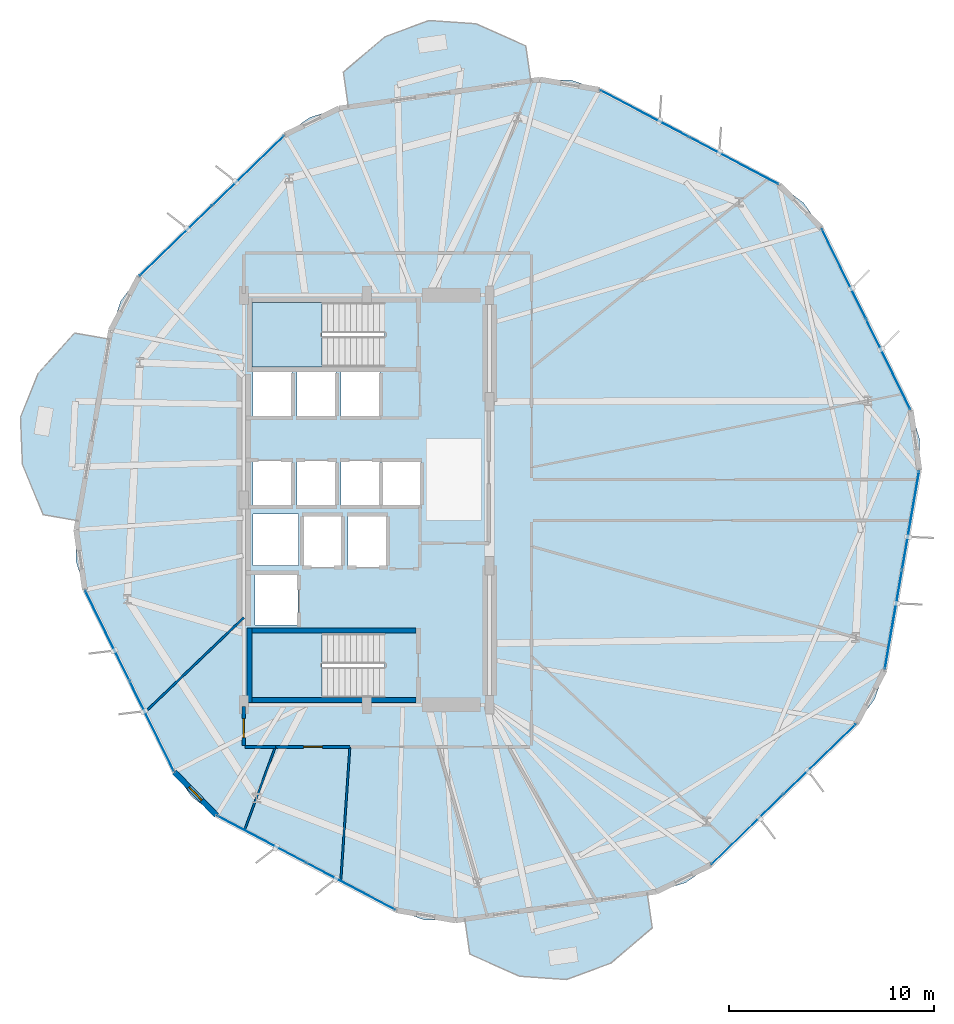
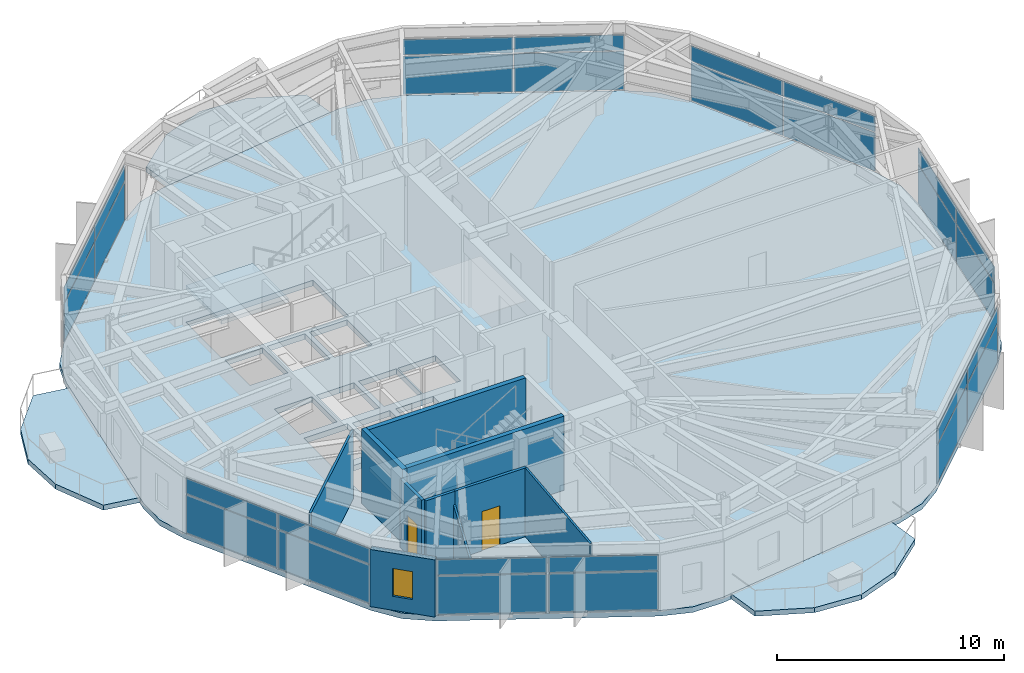
# One storey, part 15 of 22: 28 plates, 10 walls, 6 slabs, 2 doors, 1 window, 3 openings, 9 elements without a shape of their own.
"""IFC4 building model written with IfcOpenShell, lengths in metres."""

from ifc_helpers import new_model, si_unit, direction, frame, frame_2d, origin, origin_2d, place, context, subcontext, project, spatial, polyline, rectangle, outline, extrude, material, layer, layer_set, type_object, element, fill, aggregate, save


model = new_model("IFC4")

# Units and contexts
model_context = context("Model", 3, precision=1e-05, world=origin(), true_north=direction((0.0, 1.0)))
body_context = subcontext(model_context, "Body", "Model", "MODEL_VIEW")
ifc_project = project(units=[si_unit("LENGTHUNIT", "METRE"), si_unit("AREAUNIT", "SQUARE_METRE"), si_unit("VOLUMEUNIT", "CUBIC_METRE"), si_unit("PLANEANGLEUNIT", "RADIAN"), si_unit("MASSUNIT", "GRAM", prefix="KILO")], contexts=[model_context])

# Site, building, storey
site_placement = place(None, origin())
site = spatial("IfcSite", under=ifc_project, at=site_placement, CompositionType="ELEMENT")
building_placement = place(site_placement, origin())
building = spatial("IfcBuilding", under=site, at=building_placement, Name="Soratama Intermodal Tower", CompositionType="ELEMENT")
storey_placement = place(building_placement, frame((0.0, 0.0, 58.60009765625)))
storey = spatial("IfcBuildingStorey", under=building, at=storey_placement, Name="L13", CompositionType="ELEMENT", Elevation=58.60009765625)

# Curtain wall, plates
ifc_material_1 = material(Name="Double-glazed aluminium curtain wall", Category="aluminium")
ifc_layer_1 = layer(ifc_material_1, 0.159912109375)
ifc_layer_set_1 = layer_set([ifc_layer_1], Name="Double-glazed aluminium curtain wall")
curtain_wall_type = type_object("IfcCurtainWallType", Name="CW-SYS-2", PredefinedType="NOTDEFINED", material=ifc_layer_set_1)
curtain_wall_1_placement = place(storey_placement, origin())
curtain_wall_1 = element("IfcCurtainWall", 1, at=curtain_wall_1_placement, inside=storey, type_object=curtain_wall_type, Name="L13 Faceted Curtain Wall F01", PredefinedType="NOTDEFINED")
ifc_material_2 = material(Name="Low-E laminated double glazing", Category="glass")
ifc_layer_2 = layer(ifc_material_2, 0.031982421875)
ifc_layer_set_2 = layer_set([ifc_layer_2], Name="Low-E laminated double glazing")
plate_type = type_object("IfcPlateType", Name="PT-CWP-2", PredefinedType="CURTAIN_PANEL", material=ifc_layer_set_2)
plate_1_placement = place(storey_placement, frame((64.05810546875, 31.6220703125, 0.059814453125), z_axis=(0.0, 0.0, 1.0), x_axis=(-0.440875453156, 0.897568289772, 0.0)))
plate_1 = element("IfcPlate", 2, at=plate_1_placement, type_object=plate_type, Name="CW-2 panel 1.1", PredefinedType="CURTAIN_PANEL", context=body_context, shape_type="SweptSolid", body=[
    extrude(rectangle(XDim=4.857177734375, YDim=0.028076171875, at=origin_2d()), origin(), (0.0, 0.0, 1.0), 2.06005859375),
])
plate_2_placement = place(storey_placement, frame((64.05810546875, 31.6220703125, 2.1796875), z_axis=(0.0, 0.0, 1.0), x_axis=(-0.440875453156, 0.897568289772, 0.0)))
plate_2 = element("IfcPlate", 3, at=plate_2_placement, type_object=plate_type, Name="CW-2 panel 1.2", PredefinedType="CURTAIN_PANEL", context=body_context, shape_type="SweptSolid", body=[
    extrude(rectangle(XDim=4.857177734375, YDim=0.028076171875, at=origin_2d()), origin(), (0.0, 0.0, 1.0), 0.839111328125),
])
plate_3_placement = place(storey_placement, frame((61.890380859375, 36.03564453125, 0.059814453125), z_axis=(0.0, 0.0, 1.0), x_axis=(-0.440875453156, 0.897568289772, 0.0)))
plate_3 = element("IfcPlate", 4, at=plate_3_placement, type_object=plate_type, Name="CW-2 panel 2.1", PredefinedType="CURTAIN_PANEL", context=body_context, shape_type="SweptSolid", body=[
    extrude(rectangle(XDim=4.857177734375, YDim=0.028076171875, at=origin_2d()), origin(), (0.0, 0.0, 1.0), 2.06005859375),
])
plate_4_placement = place(storey_placement, frame((61.890380859375, 36.03564453125, 2.1796875), z_axis=(0.0, 0.0, 1.0), x_axis=(-0.440875453156, 0.897568289772, 0.0)))
plate_4 = element("IfcPlate", 5, at=plate_4_placement, type_object=plate_type, Name="CW-2 panel 2.2", PredefinedType="CURTAIN_PANEL", context=body_context, shape_type="SweptSolid", body=[
    extrude(rectangle(XDim=4.857177734375, YDim=0.028076171875, at=origin_2d()), origin(), (0.0, 0.0, 1.0), 0.839111328125),
])
aggregate(curtain_wall_1, [plate_1, plate_2, plate_3, plate_4])

curtain_wall_2_placement = place(storey_placement, origin())
curtain_wall_2 = element("IfcCurtainWall", 6, at=curtain_wall_2_placement, inside=storey, type_object=curtain_wall_type, Name="L13 Faceted Curtain Wall F02", PredefinedType="NOTDEFINED")
plate_5_placement = place(storey_placement, frame((56.52587890625, 41.5595703125, 0.059814453125), z_axis=(0.0, 0.0, 1.0), x_axis=(-0.884256543686, 0.467001461398, 0.0)))
plate_5 = element("IfcPlate", 7, at=plate_5_placement, type_object=plate_type, Name="CW-2 panel 1.1", PredefinedType="CURTAIN_PANEL", context=body_context, shape_type="SweptSolid", body=[
    extrude(rectangle(XDim=4.857177734375, YDim=0.028076171875, at=origin_2d()), origin(), (0.0, 0.0, 1.0), 2.06005859375),
])
plate_6_placement = place(storey_placement, frame((56.52587890625, 41.5595703125, 2.1796875), z_axis=(0.0, 0.0, 1.0), x_axis=(-0.884256543686, 0.467001461398, 0.0)))
plate_6 = element("IfcPlate", 8, at=plate_6_placement, type_object=plate_type, Name="CW-2 panel 1.2", PredefinedType="CURTAIN_PANEL", context=body_context, shape_type="SweptSolid", body=[
    extrude(rectangle(XDim=4.857177734375, YDim=0.028076171875, at=origin_2d()), origin(), (0.0, 0.0, 1.0), 0.839111328125),
])
plate_7_placement = place(storey_placement, frame((52.177978515625, 43.85595703125, 0.059814453125), z_axis=(0.0, 0.0, 1.0), x_axis=(-0.884256543686, 0.467001461398, 0.0)))
plate_7 = element("IfcPlate", 9, at=plate_7_placement, type_object=plate_type, Name="CW-2 panel 2.1", PredefinedType="CURTAIN_PANEL", context=body_context, shape_type="SweptSolid", body=[
    extrude(rectangle(XDim=4.857177734375, YDim=0.028076171875, at=origin_2d()), origin(), (0.0, 0.0, 1.0), 2.06005859375),
])
plate_8_placement = place(storey_placement, frame((52.177978515625, 43.85595703125, 2.1796875), z_axis=(0.0, 0.0, 1.0), x_axis=(-0.884256543686, 0.467001461398, 0.0)))
plate_8 = element("IfcPlate", 10, at=plate_8_placement, type_object=plate_type, Name="CW-2 panel 2.2", PredefinedType="CURTAIN_PANEL", context=body_context, shape_type="SweptSolid", body=[
    extrude(rectangle(XDim=4.857177734375, YDim=0.028076171875, at=origin_2d()), origin(), (0.0, 0.0, 1.0), 0.839111328125),
])
aggregate(curtain_wall_2, [plate_5, plate_6, plate_7, plate_8])

curtain_wall_3_placement = place(storey_placement, origin())
curtain_wall_3 = element("IfcCurtainWall", 11, at=curtain_wall_3_placement, inside=storey, type_object=curtain_wall_type, Name="L13 Faceted Curtain Wall F04", PredefinedType="NOTDEFINED")
plate_9_placement = place(storey_placement, frame((32.812744140625, 41.0791015625, 0.059814453125), z_axis=(0.0, 0.0, 1.0), x_axis=(-0.717395552683, -0.696666075671, 0.0)))
plate_9 = element("IfcPlate", 12, at=plate_9_placement, type_object=plate_type, Name="CW-2 panel 1.1", PredefinedType="CURTAIN_PANEL", context=body_context, shape_type="SweptSolid", body=[
    extrude(rectangle(XDim=4.857177734375, YDim=0.028076171875, at=origin_2d()), origin(), (0.0, 0.0, 1.0), 2.06005859375),
])
plate_10_placement = place(storey_placement, frame((32.812744140625, 41.0791015625, 2.1796875), z_axis=(0.0, 0.0, 1.0), x_axis=(-0.717395552683, -0.696666075671, 0.0)))
plate_10 = element("IfcPlate", 13, at=plate_10_placement, type_object=plate_type, Name="CW-2 panel 1.2", PredefinedType="CURTAIN_PANEL", context=body_context, shape_type="SweptSolid", body=[
    extrude(rectangle(XDim=4.857177734375, YDim=0.028076171875, at=origin_2d()), origin(), (0.0, 0.0, 1.0), 0.839111328125),
])
plate_11_placement = place(storey_placement, frame((29.28515625, 37.653564453125, 0.059814453125), z_axis=(0.0, 0.0, 1.0), x_axis=(-0.717395552683, -0.696666075671, 0.0)))
plate_11 = element("IfcPlate", 14, at=plate_11_placement, type_object=plate_type, Name="CW-2 panel 2.1", PredefinedType="CURTAIN_PANEL", context=body_context, shape_type="SweptSolid", body=[
    extrude(rectangle(XDim=4.857177734375, YDim=0.028076171875, at=origin_2d()), origin(), (0.0, 0.0, 1.0), 2.06005859375),
])
plate_12_placement = place(storey_placement, frame((29.28515625, 37.653564453125, 2.1796875), z_axis=(0.0, 0.0, 1.0), x_axis=(-0.717395552683, -0.696666075671, 0.0)))
plate_12 = element("IfcPlate", 15, at=plate_12_placement, type_object=plate_type, Name="CW-2 panel 2.2", PredefinedType="CURTAIN_PANEL", context=body_context, shape_type="SweptSolid", body=[
    extrude(rectangle(XDim=4.857177734375, YDim=0.028076171875, at=origin_2d()), origin(), (0.0, 0.0, 1.0), 0.839111328125),
])
aggregate(curtain_wall_3, [plate_9, plate_10, plate_11, plate_12])

curtain_wall_4_placement = place(storey_placement, origin())
curtain_wall_4 = element("IfcCurtainWall", 16, at=curtain_wall_4_placement, inside=storey, type_object=curtain_wall_type, Name="L13 Faceted Curtain Wall F06", PredefinedType="NOTDEFINED")
plate_13_placement = place(storey_placement, frame((25.94189453125, 18.3779296875, 0.059814453125), z_axis=(0.0, 0.0, 1.0), x_axis=(0.440875453156, -0.897568289772, 0.0)))
plate_13 = element("IfcPlate", 17, at=plate_13_placement, type_object=plate_type, Name="CW-2 panel 1.1", PredefinedType="CURTAIN_PANEL", context=body_context, shape_type="SweptSolid", body=[
    extrude(rectangle(XDim=4.857177734375, YDim=0.028076171875, at=origin_2d()), origin(), (0.0, 0.0, 1.0), 2.06005859375),
])
plate_14_placement = place(storey_placement, frame((25.94189453125, 18.3779296875, 2.1796875), z_axis=(0.0, 0.0, 1.0), x_axis=(0.440875453156, -0.897568289772, 0.0)))
plate_14 = element("IfcPlate", 18, at=plate_14_placement, type_object=plate_type, Name="CW-2 panel 1.2", PredefinedType="CURTAIN_PANEL", context=body_context, shape_type="SweptSolid", body=[
    extrude(rectangle(XDim=4.857177734375, YDim=0.028076171875, at=origin_2d()), origin(), (0.0, 0.0, 1.0), 0.839111328125),
])
plate_15_placement = place(storey_placement, frame((28.109619140625, 13.96435546875, 0.059814453125), z_axis=(0.0, 0.0, 1.0), x_axis=(0.440875453156, -0.897568289772, 0.0)))
plate_15 = element("IfcPlate", 19, at=plate_15_placement, type_object=plate_type, Name="CW-2 panel 2.1", PredefinedType="CURTAIN_PANEL", context=body_context, shape_type="SweptSolid", body=[
    extrude(rectangle(XDim=4.857177734375, YDim=0.028076171875, at=origin_2d()), origin(), (0.0, 0.0, 1.0), 2.06005859375),
])
plate_16_placement = place(storey_placement, frame((28.109619140625, 13.96435546875, 2.1796875), z_axis=(0.0, 0.0, 1.0), x_axis=(0.440875453156, -0.897568289772, 0.0)))
plate_16 = element("IfcPlate", 20, at=plate_16_placement, type_object=plate_type, Name="CW-2 panel 2.2", PredefinedType="CURTAIN_PANEL", context=body_context, shape_type="SweptSolid", body=[
    extrude(rectangle(XDim=4.857177734375, YDim=0.028076171875, at=origin_2d()), origin(), (0.0, 0.0, 1.0), 0.839111328125),
])
aggregate(curtain_wall_4, [plate_13, plate_14, plate_15, plate_16])

curtain_wall_5_placement = place(storey_placement, origin())
curtain_wall_5 = element("IfcCurtainWall", 21, at=curtain_wall_5_placement, inside=storey, type_object=curtain_wall_type, Name="L13 Faceted Curtain Wall F07", PredefinedType="NOTDEFINED")
plate_17_placement = place(storey_placement, frame((33.47412109375, 8.4404296875, 0.059814453125), z_axis=(0.0, 0.0, 1.0), x_axis=(0.884256543686, -0.467001461398, 0.0)))
plate_17 = element("IfcPlate", 22, at=plate_17_placement, type_object=plate_type, Name="CW-2 panel 1.1", PredefinedType="CURTAIN_PANEL", context=body_context, shape_type="SweptSolid", body=[
    extrude(rectangle(XDim=4.857177734375, YDim=0.028076171875, at=origin_2d()), origin(), (0.0, 0.0, 1.0), 2.06005859375),
])
plate_18_placement = place(storey_placement, frame((33.47412109375, 8.4404296875, 2.1796875), z_axis=(0.0, 0.0, 1.0), x_axis=(0.884256543686, -0.467001461398, 0.0)))
plate_18 = element("IfcPlate", 23, at=plate_18_placement, type_object=plate_type, Name="CW-2 panel 1.2", PredefinedType="CURTAIN_PANEL", context=body_context, shape_type="SweptSolid", body=[
    extrude(rectangle(XDim=4.857177734375, YDim=0.028076171875, at=origin_2d()), origin(), (0.0, 0.0, 1.0), 0.839111328125),
])
plate_19_placement = place(storey_placement, frame((37.822021484375, 6.14404296875, 0.059814453125), z_axis=(0.0, 0.0, 1.0), x_axis=(0.884256543686, -0.467001461398, 0.0)))
plate_19 = element("IfcPlate", 24, at=plate_19_placement, type_object=plate_type, Name="CW-2 panel 2.1", PredefinedType="CURTAIN_PANEL", context=body_context, shape_type="SweptSolid", body=[
    extrude(rectangle(XDim=4.857177734375, YDim=0.028076171875, at=origin_2d()), origin(), (0.0, 0.0, 1.0), 2.06005859375),
])
plate_20_placement = place(storey_placement, frame((37.822021484375, 6.14404296875, 2.1796875), z_axis=(0.0, 0.0, 1.0), x_axis=(0.884256543686, -0.467001461398, 0.0)))
plate_20 = element("IfcPlate", 25, at=plate_20_placement, type_object=plate_type, Name="CW-2 panel 2.2", PredefinedType="CURTAIN_PANEL", context=body_context, shape_type="SweptSolid", body=[
    extrude(rectangle(XDim=4.857177734375, YDim=0.028076171875, at=origin_2d()), origin(), (0.0, 0.0, 1.0), 0.839111328125),
])
aggregate(curtain_wall_5, [plate_17, plate_18, plate_19, plate_20])

curtain_wall_6_placement = place(storey_placement, origin())
curtain_wall_6 = element("IfcCurtainWall", 26, at=curtain_wall_6_placement, inside=storey, type_object=curtain_wall_type, Name="L13 Faceted Curtain Wall F09", PredefinedType="NOTDEFINED")
plate_21_placement = place(storey_placement, frame((57.187255859375, 8.9208984375, 0.059814453125), z_axis=(0.0, 0.0, 1.0), x_axis=(0.717395552683, 0.696666075671, 0.0)))
plate_21 = element("IfcPlate", 27, at=plate_21_placement, type_object=plate_type, Name="CW-2 panel 1.1", PredefinedType="CURTAIN_PANEL", context=body_context, shape_type="SweptSolid", body=[
    extrude(rectangle(XDim=4.857177734375, YDim=0.028076171875, at=origin_2d()), origin(), (0.0, 0.0, 1.0), 2.06005859375),
])
plate_22_placement = place(storey_placement, frame((57.187255859375, 8.9208984375, 2.1796875), z_axis=(0.0, 0.0, 1.0), x_axis=(0.717395552683, 0.696666075671, 0.0)))
plate_22 = element("IfcPlate", 28, at=plate_22_placement, type_object=plate_type, Name="CW-2 panel 1.2", PredefinedType="CURTAIN_PANEL", context=body_context, shape_type="SweptSolid", body=[
    extrude(rectangle(XDim=4.857177734375, YDim=0.028076171875, at=origin_2d()), origin(), (0.0, 0.0, 1.0), 0.839111328125),
])
plate_23_placement = place(storey_placement, frame((60.71484375, 12.346435546875, 0.059814453125), z_axis=(0.0, 0.0, 1.0), x_axis=(0.717395552683, 0.696666075671, 0.0)))
plate_23 = element("IfcPlate", 29, at=plate_23_placement, type_object=plate_type, Name="CW-2 panel 2.1", PredefinedType="CURTAIN_PANEL", context=body_context, shape_type="SweptSolid", body=[
    extrude(rectangle(XDim=4.857177734375, YDim=0.028076171875, at=origin_2d()), origin(), (0.0, 0.0, 1.0), 2.06005859375),
])
plate_24_placement = place(storey_placement, frame((60.71484375, 12.346435546875, 2.1796875), z_axis=(0.0, 0.0, 1.0), x_axis=(0.717395552683, 0.696666075671, 0.0)))
plate_24 = element("IfcPlate", 30, at=plate_24_placement, type_object=plate_type, Name="CW-2 panel 2.2", PredefinedType="CURTAIN_PANEL", context=body_context, shape_type="SweptSolid", body=[
    extrude(rectangle(XDim=4.857177734375, YDim=0.028076171875, at=origin_2d()), origin(), (0.0, 0.0, 1.0), 0.839111328125),
])
aggregate(curtain_wall_6, [plate_21, plate_22, plate_23, plate_24])

curtain_wall_7_placement = place(storey_placement, origin())
curtain_wall_7 = element("IfcCurtainWall", 31, at=curtain_wall_7_placement, inside=storey, type_object=curtain_wall_type, Name="L13 Faceted Curtain Wall F10", PredefinedType="NOTDEFINED")
plate_25_placement = place(storey_placement, frame((64.310791015625, 19.1552734375, 0.059814453125), z_axis=(0.0, 0.0, 1.0), x_axis=(0.170898842866, 0.985288579812, 0.0)))
plate_25 = element("IfcPlate", 32, at=plate_25_placement, type_object=plate_type, Name="CW-2 panel 1.1", PredefinedType="CURTAIN_PANEL", context=body_context, shape_type="SweptSolid", body=[
    extrude(rectangle(XDim=4.857177734375, YDim=0.028076171875, at=origin_2d()), origin(), (0.0, 0.0, 1.0), 2.06005859375),
])
plate_26_placement = place(storey_placement, frame((64.310791015625, 19.1552734375, 2.1796875), z_axis=(0.0, 0.0, 1.0), x_axis=(0.170898842866, 0.985288579812, 0.0)))
plate_26 = element("IfcPlate", 33, at=plate_26_placement, type_object=plate_type, Name="CW-2 panel 1.2", PredefinedType="CURTAIN_PANEL", context=body_context, shape_type="SweptSolid", body=[
    extrude(rectangle(XDim=4.857177734375, YDim=0.028076171875, at=origin_2d()), origin(), (0.0, 0.0, 1.0), 0.839111328125),
])
plate_27_placement = place(storey_placement, frame((65.151123046875, 24.0, 0.059814453125), z_axis=(0.0, 0.0, 1.0), x_axis=(0.170898842866, 0.985288579812, 0.0)))
plate_27 = element("IfcPlate", 34, at=plate_27_placement, type_object=plate_type, Name="CW-2 panel 2.1", PredefinedType="CURTAIN_PANEL", context=body_context, shape_type="SweptSolid", body=[
    extrude(rectangle(XDim=4.857177734375, YDim=0.028076171875, at=origin_2d()), origin(), (0.0, 0.0, 1.0), 2.06005859375),
])
plate_28_placement = place(storey_placement, frame((65.151123046875, 24.0, 2.1796875), z_axis=(0.0, 0.0, 1.0), x_axis=(0.170898842866, 0.985288579812, 0.0)))
plate_28 = element("IfcPlate", 35, at=plate_28_placement, type_object=plate_type, Name="CW-2 panel 2.2", PredefinedType="CURTAIN_PANEL", context=body_context, shape_type="SweptSolid", body=[
    extrude(rectangle(XDim=4.857177734375, YDim=0.028076171875, at=origin_2d()), origin(), (0.0, 0.0, 1.0), 0.839111328125),
])
aggregate(curtain_wall_7, [plate_25, plate_26, plate_27, plate_28])

# Slabs
ifc_material_3 = material(Name="Concrete f'c 42 MPa", Category="concrete")
ifc_layer_3 = layer(ifc_material_3, 0.27001953125)
ifc_layer_set_3 = layer_set([ifc_layer_3], Name="Concrete f'c 42 MPa")
slab_type_1 = type_object("IfcSlabType", Name="SL-EXT-BAL1", PredefinedType="FLOOR", material=ifc_layer_set_3)
slab_1_placement = place(storey_placement, frame((0.0, 0.0, -0.27001953125)))
element("IfcSlab", 36, at=slab_1_placement, inside=storey, type_object=slab_type_1, Name="L13 Planted Balcony North 1", PredefinedType="FLOOR", context=body_context, shape_type="SweptSolid", body=[
    extrude(outline(polyline([(46.609130859375, 45.461181640625), (37.7060546875, 44.1845703125), (37.4619140625, 45.88720703125), (39.48681640625, 47.607177734375), (41.643798828125, 48.406005859375), (43.9384765625, 48.245361328125), (46.364990234375, 47.163818359375), (46.609130859375, 45.461181640625)])), origin(), (0.0, 0.0, 1.0), 0.27001953125),
])
slab_2_placement = place(storey_placement, frame((0.0, 0.0, -0.27001953125)))
element("IfcSlab", 37, at=slab_2_placement, inside=storey, type_object=slab_type_1, Name="L13 Planted Balcony West 2", PredefinedType="FLOOR", context=body_context, shape_type="SweptSolid", body=[
    extrude(outline(polyline([(26.03759765625, 32.853271484375), (24.50048828125, 23.991455078125), (22.805908203125, 24.285400390625), (21.795654296875, 26.74267578125), (21.702392578125, 29.041015625), (22.564208984375, 31.173583984375), (24.343017578125, 33.147216796875), (26.03759765625, 32.853271484375)])), origin(), (0.0, 0.0, 1.0), 0.27001953125),
])
slab_3_placement = place(storey_placement, frame((0.0, 0.0, -0.27001953125)))
element("IfcSlab", 38, at=slab_3_placement, inside=storey, type_object=slab_type_1, Name="L13 Planted Balcony South 3", PredefinedType="FLOOR", context=body_context, shape_type="SweptSolid", body=[
    extrude(outline(polyline([(43.390869140625, 4.538818359375), (52.2939453125, 5.8154296875), (52.5380859375, 4.11279296875), (50.51318359375, 2.392822265625), (48.356201171875, 1.593994140625), (46.0615234375, 1.754638671875), (43.635009765625, 2.836181640625), (43.390869140625, 4.538818359375)])), origin(), (0.0, 0.0, 1.0), 0.27001953125),
])

# Stair, slab
ifc_material_4 = material(Name="Concrete f'c 42 MPa", Category="concrete")
stair_type = type_object("IfcStairType", Name="ST-CORE-DOGLEG", PredefinedType="HALF_TURN_STAIR", material=ifc_material_4)
stair_1_placement = place(storey_placement, origin())
stair_1 = element("IfcStair", 39, at=stair_1_placement, inside=storey, type_object=stair_type, Name="L13 ST-1", PredefinedType="HALF_TURN_STAIR")
ifc_material_5 = material(Name="Concrete f'c 42 MPa", Category="concrete")
ifc_layer_4 = layer(ifc_material_5, 0.219970703125)
ifc_layer_set_4 = layer_set([ifc_layer_4], Name="Concrete f'c 42 MPa")
slab_type_2 = type_object("IfcSlabType", Name="SL-STAIR-LAND", PredefinedType="LANDING", material=ifc_layer_set_4)
slab_4_placement = place(storey_placement, frame((0.0, 0.0, 1.7998046875)))
slab_4 = element("IfcSlab", 40, at=slab_4_placement, type_object=slab_type_2, Name="ST-1 landing 1", PredefinedType="LANDING", context=body_context, shape_type="SweptSolid", body=[
    extrude(outline(polyline([(36.419921875, 18.5), (33.0, 18.5), (33.0, 15.35009765625), (36.419921875, 15.35009765625), (36.419921875, 18.5)])), origin(), (0.0, 0.0, 1.0), 0.2001953125),
])
aggregate(stair_1, [slab_4])

stair_2_placement = place(storey_placement, origin())
stair_2 = element("IfcStair", 41, at=stair_2_placement, inside=storey, type_object=stair_type, Name="L13 ST-2", PredefinedType="HALF_TURN_STAIR")
slab_5_placement = place(storey_placement, frame((0.0, 0.0, 1.7998046875)))
slab_5 = element("IfcSlab", 42, at=slab_5_placement, type_object=slab_type_2, Name="ST-2 landing 1", PredefinedType="LANDING", context=body_context, shape_type="SweptSolid", body=[
    extrude(outline(polyline([(36.419921875, 34.64990234375), (33.0, 34.64990234375), (33.0, 31.5), (36.419921875, 31.5), (36.419921875, 34.64990234375)])), origin(), (0.0, 0.0, 1.0), 0.2001953125),
])
aggregate(stair_2, [slab_5])

# Slab
ifc_material_6 = material(Name="Concrete f'c 42 MPa", Category="concrete")
ifc_layer_5 = layer(ifc_material_6, 0.280029296875)
ifc_layer_set_5 = layer_set([ifc_layer_5], Name="Concrete f'c 42 MPa")
slab_type_3 = type_object("IfcSlabType", Name="SL-TWR-280", PredefinedType="FLOOR", material=ifc_layer_set_5)
slab_6_placement = place(storey_placement, frame((0.0, 0.0, -0.300048828125)))
element("IfcSlab", 43, at=slab_6_placement, inside=storey, type_object=slab_type_3, Name="L13 Structural Floor Slab", PredefinedType="FLOOR", context=body_context, shape_type="SweptSolid", body=[
    extrude(outline(polyline([(65.576416015625, 26.451904296875), (65.598388671875, 27.95361328125), (65.1552734375, 29.388427734375), (60.793212890625, 38.269287109375), (59.928466796875, 39.496826171875), (58.7265625, 40.3974609375), (49.9775390625, 45.01806640625), (48.55615234375, 45.5029296875), (47.0546875, 45.52490234375), (37.260498046875, 44.12060546875), (35.82568359375, 43.677490234375), (34.597900390625, 42.812744140625), (27.5, 35.919921875), (26.599609375, 34.718017578125), (26.114501953125, 33.296630859375), (24.423583984375, 23.548095703125), (24.401611328125, 22.04638671875), (24.8447265625, 20.611572265625), (29.206787109375, 11.730712890625), (30.071533203125, 10.503173828125), (31.2734375, 9.6025390625), (40.0224609375, 4.98193359375), (41.44384765625, 4.4970703125), (42.9453125, 4.47509765625), (52.739501953125, 5.87939453125), (54.17431640625, 6.322509765625), (55.402099609375, 7.187255859375), (62.5, 14.080078125), (63.400390625, 15.281982421875), (63.885498046875, 16.703369140625), (65.576416015625, 26.451904296875)]), holes=[polyline([(33.0, 18.5), (33.0, 15.35009765625), (39.47509765625, 15.35009765625), (39.47509765625, 18.5), (33.0, 18.5)]), polyline([(35.260009765625, 18.889892578125), (35.260009765625, 21.409912109375), (33.139892578125, 21.409912109375), (33.139892578125, 18.889892578125), (35.260009765625, 18.889892578125)]), polyline([(33.050048828125, 21.800048828125), (35.280029296875, 21.800048828125), (35.280029296875, 24.320068359375), (33.050048828125, 24.320068359375), (33.050048828125, 21.800048828125)]), polyline([(34.9599609375, 26.909912109375), (33.0400390625, 26.909912109375), (33.0400390625, 24.68994140625), (34.9599609375, 24.68994140625), (34.9599609375, 26.909912109375)]), polyline([(37.110107421875, 24.68994140625), (37.110107421875, 26.909912109375), (35.18994140625, 26.909912109375), (35.18994140625, 24.68994140625), (37.110107421875, 24.68994140625)]), polyline([(34.9599609375, 29.0400390625), (34.9599609375, 31.260009765625), (33.0400390625, 31.260009765625), (33.0400390625, 29.0400390625), (34.9599609375, 29.0400390625)]), polyline([(37.110107421875, 31.260009765625), (35.18994140625, 31.260009765625), (35.18994140625, 29.0400390625), (37.110107421875, 29.0400390625), (37.110107421875, 31.260009765625)]), polyline([(37.409912109375, 21.739990234375), (37.409912109375, 24.260009765625), (35.489990234375, 24.260009765625), (35.489990234375, 21.739990234375), (37.409912109375, 21.739990234375)]), polyline([(39.610107421875, 21.739990234375), (39.610107421875, 24.260009765625), (37.68994140625, 24.260009765625), (37.68994140625, 21.739990234375), (39.610107421875, 21.739990234375)]), polyline([(39.260009765625, 24.68994140625), (39.260009765625, 26.909912109375), (37.340087890625, 26.909912109375), (37.340087890625, 24.68994140625), (39.260009765625, 24.68994140625)]), polyline([(41.260009765625, 24.68994140625), (41.260009765625, 26.909912109375), (39.340087890625, 26.909912109375), (39.340087890625, 24.68994140625), (41.260009765625, 24.68994140625)]), polyline([(39.260009765625, 29.0400390625), (39.260009765625, 31.260009765625), (37.340087890625, 31.260009765625), (37.340087890625, 29.0400390625), (39.260009765625, 29.0400390625)]), polyline([(39.47509765625, 34.64990234375), (33.0, 34.64990234375), (33.0, 31.5), (39.47509765625, 31.5), (39.47509765625, 34.64990234375)])]), origin(), (0.0, 0.0, 1.0), 0.300048828125),
])

# Wall, opening, window
ifc_material_7 = material(Name="Concrete f'c 42 MPa", Category="concrete")
ifc_layer_6 = layer(ifc_material_7, 0.27001953125)
ifc_layer_set_6 = layer_set([ifc_layer_6], Name="Concrete f'c 42 MPa")
wall_type_1 = type_object("IfcWallType", Name="EW-CRN-270", PredefinedType="SOLIDWALL", material=ifc_layer_set_6)
wall_1_placement = place(storey_placement, frame((29.206787109375, 11.730712890625, 0.0), z_axis=(0.0, 0.0, 1.0), x_axis=(0.69666106732, -0.717400416282, 0.0)))
wall_1 = element("IfcWall", 44, at=wall_1_placement, inside=storey, type_object=wall_type_1, Name="L13 Corner Closure Wall 06", PredefinedType="SOLIDWALL", context=body_context, shape_type="SweptSolid", body=[
    extrude(rectangle(XDim=2.966552734375, YDim=0.27001953125, at=frame_2d((1.4833984375, 0.0))), origin(), (0.0, 0.0, 1.0), 3.078857421875),
])
opening_1_placement = place(wall_1_placement, frame((1.033203125, 0.0, 0.75)))
opening_1 = element("IfcOpeningElement", 45, at=opening_1_placement, cuts=wall_1, Name="Opening WN-6", PredefinedType="OPENING", context=body_context, shape_type="SweptSolid", body=[
    extrude(rectangle(XDim=0.89990234375, YDim=1.5, at=frame_2d((0.449951171875, 0.75))), frame((0.0, 0.14501953125, 0.0), z_axis=(0.0, -1.0, 0.0), x_axis=(1.0, 0.0, 0.0)), (0.0, 0.0, 1.0), 0.2900390625),
])
ifc_material_8 = material(Name="Double-glazed aluminium window", Category="aluminium")
window_type = type_object("IfcWindowType", Name="WN-FAC-900", PartitioningType="SINGLE_PANEL", PredefinedType="WINDOW", material=ifc_material_8)
window_placement = place(opening_1_placement, origin())
window = element("IfcWindow", 46, at=window_placement, inside=storey, type_object=window_type, Name="L13 Corner Window 06", OverallHeight=1.5, OverallWidth=0.89990234375, PartitioningType="SINGLE_PANEL", PredefinedType="WINDOW", context=body_context, shape_type="SweptSolid", body=[
    extrude(rectangle(XDim=0.89990234375, YDim=1.5, at=frame_2d((0.449951171875, 0.75))), frame((0.0, 0.030029296875, 0.0), z_axis=(0.0, -1.0, 0.0), x_axis=(1.0, 0.0, 0.0)), (0.0, 0.0, 1.0), 0.06005859375),
])
fill(opening_1, window)

# Wall, opening, door
ifc_material_9 = material(Name="Fire-rated gypsum stud partition", Category="concrete")
ifc_layer_7 = layer(ifc_material_9, 0.14990234375)
ifc_layer_set_7 = layer_set([ifc_layer_7], Name="Fire-rated gypsum stud partition")
wall_type_2 = type_object("IfcWallType", Name="IW-PART-R150", PredefinedType="PARTITIONING", material=ifc_layer_set_7)
wall_2_placement = place(storey_placement, frame((37.781005859375, 12.949951171875, 0.0), z_axis=(0.0, 0.0, 1.0), x_axis=(-1.0, 0.0, 0.0)))
wall_2 = element("IfcWall", 47, at=wall_2_placement, inside=storey, type_object=wall_type_2, Name="L13 Partition W-L13-TP020", PredefinedType="PARTITIONING", context=body_context, shape_type="SweptSolid", body=[
    extrude(rectangle(XDim=3.637939453125, YDim=0.14990234375, at=frame_2d((1.81884765625, 0.0))), origin(), (0.0, 0.0, 1.0), 3.699951171875),
])
opening_2_placement = place(wall_2_placement, frame((1.343994140625, 0.0, 0.0)))
opening_2 = element("IfcOpeningElement", 48, at=opening_2_placement, cuts=wall_2, Name="Opening ID-6", PredefinedType="OPENING", context=body_context, shape_type="SweptSolid", body=[
    extrude(rectangle(XDim=0.919921875, YDim=2.1201171875, at=frame_2d((0.4599609375, 1.06005859375))), frame((0.0, 0.0849609375, 0.0), z_axis=(0.0, -1.0, 0.0), x_axis=(1.0, 0.0, 0.0)), (0.0, 0.0, 1.0), 0.169921875),
])
ifc_material_10 = material(Name="Solid hardwood acoustic door", Category="wood")
door_type = type_object("IfcDoorType", Name="DR-ROOM-920", OperationType="NOTDEFINED", PredefinedType="DOOR", material=ifc_material_10)
door_1_placement = place(opening_2_placement, origin())
door_1 = element("IfcDoor", 49, at=door_1_placement, inside=storey, type_object=door_type, Name="L13 Door D-L13-TP010", OperationType="SINGLE_SWING_LEFT", OverallHeight=2.1201171875, OverallWidth=0.919921875, PredefinedType="DOOR", context=body_context, shape_type="SweptSolid", body=[
    extrude(rectangle(XDim=0.919921875, YDim=2.1201171875, at=frame_2d((0.4599609375, 1.06005859375))), frame((0.0, 0.02490234375, 0.0), z_axis=(0.0, -1.0, 0.0), x_axis=(1.0, 0.0, 0.0)), (0.0, 0.0, 1.0), 0.050048828125),
])
fill(opening_2, door_1)

wall_3_placement = place(storey_placement, frame((32.60009765625, 13.02001953125, 0.0), z_axis=(0.0, 0.0, 1.0), x_axis=(0.0, 1.0, 0.0)))
wall_3 = element("IfcWall", 50, at=wall_3_placement, inside=storey, type_object=wall_type_2, Name="L13 Partition W-L13-TP025", PredefinedType="PARTITIONING", context=body_context, shape_type="SweptSolid", body=[
    extrude(rectangle(XDim=1.909912109375, YDim=0.14990234375, at=frame_2d((0.955078125, 0.0))), origin(), (0.0, 0.0, 1.0), 3.699951171875),
])
opening_3_placement = place(wall_3_placement, frame((0.384033203125, 0.0, 0.0)))
opening_3 = element("IfcOpeningElement", 51, at=opening_3_placement, cuts=wall_3, Name="Opening ID-6", PredefinedType="OPENING", context=body_context, shape_type="SweptSolid", body=[
    extrude(rectangle(XDim=0.919921875, YDim=2.1201171875, at=frame_2d((0.4599609375, 1.06005859375))), frame((0.0, 0.0849609375, 0.0), z_axis=(0.0, -1.0, 0.0), x_axis=(1.0, 0.0, 0.0)), (0.0, 0.0, 1.0), 0.169921875),
])
door_2_placement = place(opening_3_placement, origin())
door_2 = element("IfcDoor", 52, at=door_2_placement, inside=storey, type_object=door_type, Name="L13 Door D-L13-TP014", OperationType="SINGLE_SWING_LEFT", OverallHeight=2.1201171875, OverallWidth=0.919921875, PredefinedType="DOOR", context=body_context, shape_type="SweptSolid", body=[
    extrude(rectangle(XDim=0.919921875, YDim=2.1201171875, at=frame_2d((0.4599609375, 1.06005859375))), frame((0.0, 0.02490234375, 0.0), z_axis=(0.0, -1.0, 0.0), x_axis=(1.0, 0.0, 0.0)), (0.0, 0.0, 1.0), 0.050048828125),
])
fill(opening_3, door_2)

# Walls
wall_4_placement = place(storey_placement, frame((34.14306640625, 12.949951171875, 0.0), z_axis=(0.0, 0.0, 1.0), x_axis=(-1.0, 0.0, 0.0)))
element("IfcWall", 53, at=wall_4_placement, inside=storey, type_object=wall_type_2, Name="L13 Partition W-L13-TP029", PredefinedType="PARTITIONING", context=body_context, shape_type="SweptSolid", body=[
    extrude(rectangle(XDim=1.47314453125, YDim=0.14990234375, at=frame_2d((0.736572265625, 0.0))), origin(), (0.0, 0.0, 1.0), 3.699951171875),
])
ifc_material_11 = material(Name="Fire-rated gypsum stud partition", Category="concrete")
ifc_layer_8 = layer(ifc_material_11, 0.10009765625)
ifc_layer_set_8 = layer_set([ifc_layer_8], Name="Fire-rated gypsum stud partition")
wall_type_3 = type_object("IfcWallType", Name="IW-PART-S100", PredefinedType="PARTITIONING", material=ifc_layer_set_8)
wall_5_placement = place(storey_placement, frame((37.781005859375, 12.949951171875, 0.0), z_axis=(0.0, 0.0, 1.0), x_axis=(-0.067802603225, -0.997698755635, 0.0)))
element("IfcWall", 54, at=wall_5_placement, inside=storey, type_object=wall_type_3, Name="L13 Partition W-L13-TP013", PredefinedType="PARTITIONING", context=body_context, shape_type="SweptSolid", body=[
    extrude(rectangle(XDim=6.564208984375, YDim=0.10009765625, at=frame_2d((3.2822265625, 0.0))), origin(), (0.0, 0.0, 1.0), 3.699951171875),
])
wall_6_placement = place(storey_placement, frame((34.14306640625, 12.949951171875, 0.0), z_axis=(0.0, 0.0, 1.0), x_axis=(-0.347011852363, -0.937860743565, 0.0)))
element("IfcWall", 55, at=wall_6_placement, inside=storey, type_object=wall_type_3, Name="L13 Partition W-L13-TP018", PredefinedType="PARTITIONING", context=body_context, shape_type="SweptSolid", body=[
    extrude(rectangle(XDim=4.33740234375, YDim=0.10009765625, at=frame_2d((2.168701171875, 0.0))), origin(), (0.0, 0.0, 1.0), 2.994873046875),
])
ifc_material_12 = material(Name="Fire-rated gypsum stud partition", Category="concrete")
ifc_layer_9 = layer(ifc_material_12, 0.110107421875)
ifc_layer_set_9 = layer_set([ifc_layer_9], Name="Fire-rated gypsum stud partition")
wall_type_4 = type_object("IfcWallType", Name="IW-PART-S110", PredefinedType="PARTITIONING", material=ifc_layer_set_9)
wall_7_placement = place(storey_placement, frame((32.60009765625, 19.2548828125, 0.0), z_axis=(0.0, 0.0, 1.0), x_axis=(-0.722302567559, -0.691577183615, 0.0)))
element("IfcWall", 56, at=wall_7_placement, inside=storey, type_object=wall_type_4, Name="L13 Partition W-L13-TP012", PredefinedType="PARTITIONING", context=body_context, shape_type="SweptSolid", body=[
    extrude(rectangle(XDim=6.674560546875, YDim=0.110107421875, at=frame_2d((3.33740234375, 0.0))), origin(), (0.0, 0.0, 1.0), 3.699951171875),
])
ifc_material_13 = material(Name="Concrete f'c 56 MPa", Category="concrete")
ifc_layer_10 = layer(ifc_material_13, 0.239990234375)
ifc_layer_set_10 = layer_set([ifc_layer_10], Name="Concrete f'c 56 MPa")
wall_type_5 = type_object("IfcWallType", Name="SW-STAIR-240", PredefinedType="SHEAR", material=ifc_layer_set_10)
wall_8_placement = place(storey_placement, frame((32.8798828125, 15.110107421875, 0.0), z_axis=(0.0, 0.0, 1.0), x_axis=(0.0, 1.0, 0.0)))
element("IfcWall", 57, at=wall_8_placement, inside=storey, type_object=wall_type_5, Name="L13 ST-1 Shaft Shear Wall W", PredefinedType="SHEAR", context=body_context, shape_type="SweptSolid", body=[
    extrude(rectangle(XDim=3.6298828125, YDim=0.239990234375, at=frame_2d((1.81494140625, 0.0))), origin(), (0.0, 0.0, 1.0), 4.0),
])
for number, where, z_axis, x_axis, name in (
    (58, (33.0, 15.22998046875, 0.0), (0.0, 0.0, 1.0), (1.0, 0.0, 0.0), "L13 ST-1 Shaft Shear Wall S"),
    (59, (33.0, 18.6201171875, 0.0), (0.0, 0.0, 1.0), (1.0, 0.0, 0.0), "L13 ST-1 Shaft Shear Wall N"),
):
    element("IfcWall", number, at=place(storey_placement, frame(where, z_axis=z_axis, x_axis=x_axis)), inside=storey, type_object=wall_type_5, Name=name, PredefinedType="SHEAR", context=body_context, shape_type="SweptSolid", body=[
        extrude(rectangle(XDim=8.0, YDim=0.239990234375, at=frame_2d((4.0, 0.0))), origin(), (0.0, 0.0, 1.0), 4.0),
    ])

save(model, "model.ifc")
